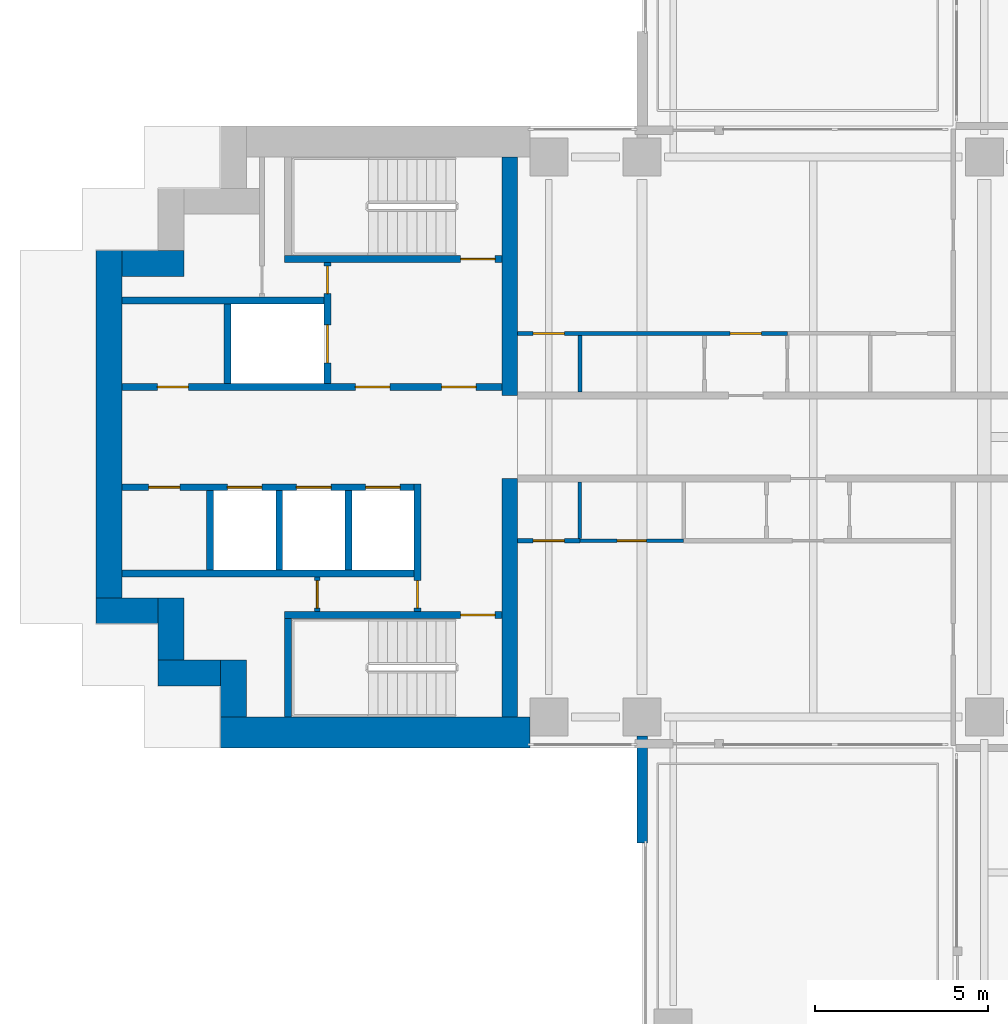
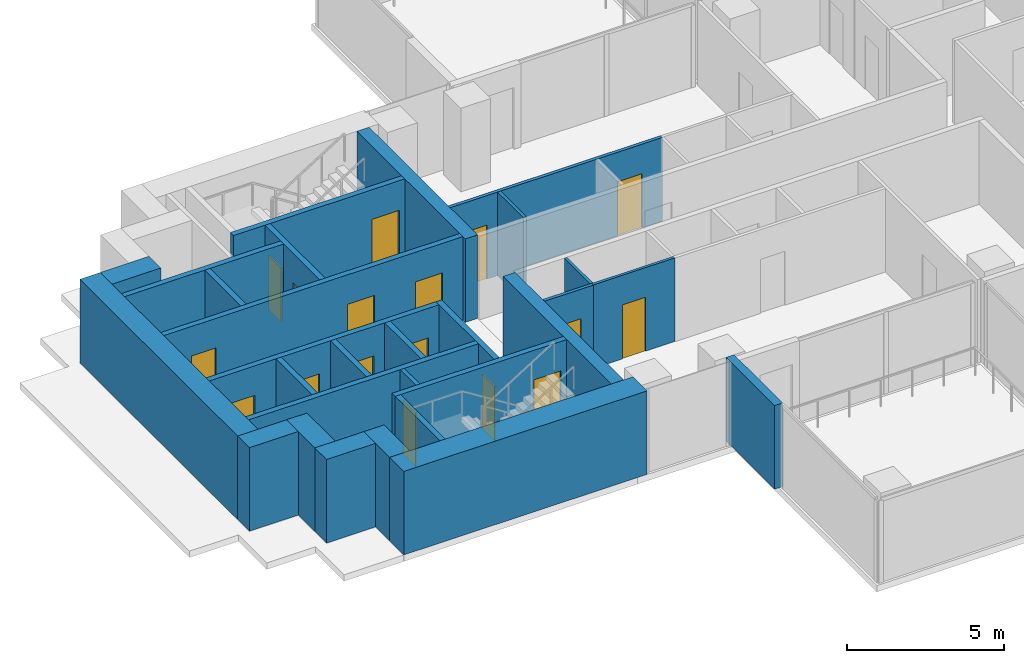
# One storey, part 10 of 20: 29 walls, 17 doors, 17 openings.
"""IFC4 building model written with IfcOpenShell, lengths in metres."""

from ifc_helpers import new_model, si_unit, direction, frame, frame_2d, origin, place, context, subcontext, project, spatial, rectangle, extrude, material, layer, layer_set, type_object, element, fill, save


model = new_model("IFC4")

# Units and contexts
model_context = context("Model", 3, precision=1e-05, world=origin(), true_north=direction((0.0, 1.0)))
body_context = subcontext(model_context, "Body", "Model", "MODEL_VIEW")
ifc_project = project(units=[si_unit("LENGTHUNIT", "METRE"), si_unit("AREAUNIT", "SQUARE_METRE"), si_unit("VOLUMEUNIT", "CUBIC_METRE"), si_unit("PLANEANGLEUNIT", "RADIAN"), si_unit("MASSUNIT", "GRAM", prefix="KILO")], contexts=[model_context])

# Site, building, storey
site_placement = place(None, origin())
site = spatial("IfcSite", under=ifc_project, at=site_placement, CompositionType="ELEMENT")
building_placement = place(site_placement, origin())
building = spatial("IfcBuilding", under=site, at=building_placement, Name="Perihelion Cross Residences", CompositionType="ELEMENT")
storey_placement = place(building_placement, frame((0.0, 0.0, 102.39990234375)))
storey = spatial("IfcBuildingStorey", under=building, at=storey_placement, Name="L23", CompositionType="ELEMENT", Elevation=102.39990234375)

# Walls
ifc_material_1 = material(Name="Concrete C60/75", Category="concrete")
ifc_layer_1 = layer(ifc_material_1, 0.449951171875)
ifc_layer_set_1 = layer_set([ifc_layer_1], Name="Core wall, inner 450")
wall_type_1 = type_object("IfcWallType", Name="Core wall, inner 450", PredefinedType="SHEAR", material=ifc_layer_set_1)
for number, where, z_axis, x_axis, name in (
    (1, (-21.824951171875, -8.10009765625, 0.0), (0.0, 0.0, 1.0), (0.0, 1.0, 0.0), "West core core wall, inner"),
    (2, (-21.824951171875, 1.199951171875, 0.0), (0.0, 0.0, 1.0), (0.0, 1.0, 0.0), "West core core wall, inner"),
):
    element("IfcWall", number, at=place(storey_placement, frame(where, z_axis=z_axis, x_axis=x_axis)), inside=storey, type_object=wall_type_1, Name=name, PredefinedType="SHEAR", context=body_context, shape_type="SweptSolid", body=[
        extrude(rectangle(XDim=6.900146484375, YDim=0.449951171875, at=frame_2d((3.4501953125, 0.0))), origin(), (0.0, 0.0, 1.0), 3.25),
    ])
ifc_material_2 = material(Name="Concrete C60/75", Category="concrete")
ifc_layer_2 = layer(ifc_material_2, 0.75)
ifc_layer_set_2 = layer_set([ifc_layer_2], Name="Core wall, outer 750")
wall_type_2 = type_object("IfcWallType", Name="Core wall, outer 750", PredefinedType="SHEAR", material=ifc_layer_set_2)
wall_1_placement = place(storey_placement, frame((-29.824951171875, -8.10009765625, 0.0), z_axis=(0.0, 0.0, 1.0), x_axis=(0.0, 1.0, 0.0)))
element("IfcWall", 3, at=wall_1_placement, inside=storey, type_object=wall_type_2, Name="West core core wall, outer", PredefinedType="SHEAR", context=body_context, shape_type="SweptSolid", body=[
    extrude(rectangle(XDim=1.650146484375, YDim=0.75, at=frame_2d((0.8251953125, 0.0))), origin(), (0.0, 0.0, 1.0), 3.25),
])
for number, where, z_axis, x_axis, name in (
    (4, (-32.0, -6.824951171875, 0.0), (0.0, 0.0, 1.0), (1.0, 0.0, 0.0), "West core core wall, outer"),
    (5, (-31.625, -6.449951171875, 0.0), (0.0, 0.0, 1.0), (0.0, 1.0, 0.0), "West core core wall, outer"),
    (6, (-33.800048828125, -5.02490234375, 0.0), (0.0, 0.0, 1.0), (1.0, 0.0, 0.0), "West core core wall, outer"),
):
    element("IfcWall", number, at=place(storey_placement, frame(where, z_axis=z_axis, x_axis=x_axis)), inside=storey, type_object=wall_type_2, Name=name, PredefinedType="SHEAR", context=body_context, shape_type="SweptSolid", body=[
        extrude(rectangle(XDim=1.800048828125, YDim=0.75, at=frame_2d((0.89990234375, 0.0))), origin(), (0.0, 0.0, 1.0), 3.25),
    ])
wall_2_placement = place(storey_placement, frame((-33.425048828125, -4.64990234375, 0.0), z_axis=(0.0, 0.0, 1.0), x_axis=(0.0, 1.0, 0.0)))
element("IfcWall", 7, at=wall_2_placement, inside=storey, type_object=wall_type_2, Name="West core core wall, outer", PredefinedType="SHEAR", context=body_context, shape_type="SweptSolid", body=[
    extrude(rectangle(XDim=10.0498046875, YDim=0.75, at=frame_2d((5.02490234375, 0.0))), origin(), (0.0, 0.0, 1.0), 3.25),
])
wall_3_placement = place(storey_placement, frame((-33.050048828125, 5.02490234375, 0.0), z_axis=(0.0, 0.0, 1.0), x_axis=(1.0, 0.0, 0.0)))
element("IfcWall", 8, at=wall_3_placement, inside=storey, type_object=wall_type_2, Name="West core core wall, outer", PredefinedType="SHEAR", context=body_context, shape_type="SweptSolid", body=[
    extrude(rectangle(XDim=1.800048828125, YDim=0.75, at=frame_2d((0.89990234375, 0.0))), origin(), (0.0, 0.0, 1.0), 3.25),
])
ifc_material_3 = material(Name="Concrete C60/75", Category="concrete")
ifc_layer_3 = layer(ifc_material_3, 0.89990234375)
ifc_layer_set_3 = layer_set([ifc_layer_3], Name="Core wall, outer 900")
wall_type_3 = type_object("IfcWallType", Name="Core wall, outer 900", PredefinedType="SHEAR", material=ifc_layer_set_3)
wall_4_placement = place(storey_placement, frame((-30.199951171875, -8.550048828125, 0.0), z_axis=(0.0, 0.0, 1.0), x_axis=(1.0, 0.0, 0.0)))
element("IfcWall", 9, at=wall_4_placement, inside=storey, type_object=wall_type_3, Name="West core core wall, outer", PredefinedType="SHEAR", context=body_context, shape_type="SweptSolid", body=[
    extrude(rectangle(XDim=8.949951171875, YDim=0.89990234375, at=frame_2d((4.47509765625, 0.0))), origin(), (0.0, 0.0, 1.0), 3.25),
])

# Wall, opening, door
ifc_material_4 = material(Name="Concrete C50/60", Category="concrete")
ifc_layer_4 = layer(ifc_material_4, 0.199951171875)
ifc_layer_set_4 = layer_set([ifc_layer_4], Name="Lobby wall 200")
wall_type_4 = type_object("IfcWallType", Name="Lobby wall 200", PredefinedType="SOLIDWALL", material=ifc_layer_set_4)
wall_5_placement = place(storey_placement, frame((-24.5, -5.050048828125, 0.0), z_axis=(0.0, 0.0, 1.0), x_axis=(0.0, 1.0, 0.0)))
wall_5 = element("IfcWall", 10, at=wall_5_placement, inside=storey, type_object=wall_type_4, Name="West core lobby wall", PredefinedType="SOLIDWALL", context=body_context, shape_type="SweptSolid", body=[
    extrude(rectangle(XDim=3.699951171875, YDim=0.199951171875, at=frame_2d((1.85009765625, 0.0))), origin(), (0.0, 0.0, 1.0), 3.25),
])
opening_1_placement = place(wall_5_placement, frame((0.10009765625, 0.0, 0.0)))
opening_1 = element("IfcOpeningElement", 11, at=opening_1_placement, cuts=wall_5, Name="Opening L23.C22", PredefinedType="OPENING", context=body_context, shape_type="SweptSolid", body=[
    extrude(rectangle(XDim=0.800048828125, YDim=2.10009765625, at=frame_2d((0.39990234375, 1.050048828125))), frame((0.0, 0.10986328125, 0.0), z_axis=(0.0, -1.0, 0.0), x_axis=(1.0, 0.0, 0.0)), (0.0, 0.0, 1.0), 0.219970703125),
])
ifc_material_5 = material(Name="Steel, powder coated", Category="steel")
door_type_1 = type_object("IfcDoorType", Name="Riser door 800", OperationType="SINGLE_SWING_LEFT", PredefinedType="DOOR", material=ifc_material_5)
door_1_placement = place(opening_1_placement, origin())
door_1 = element("IfcDoor", 12, at=door_1_placement, inside=storey, type_object=door_type_1, Name="West core riser door", OperationType="SINGLE_SWING_LEFT", OverallHeight=2.10009765625, OverallWidth=0.800048828125, PredefinedType="DOOR", context=body_context, shape_type="SweptSolid", body=[
    extrude(rectangle(XDim=0.800048828125, YDim=2.10009765625, at=frame_2d((0.39990234375, 1.050048828125))), frame((0.0, 0.02490234375, 0.0), z_axis=(0.0, -1.0, 0.0), x_axis=(1.0, 0.0, 0.0)), (0.0, 0.0, 1.0), 0.050048828125),
])
fill(opening_1, door_1)

# Wall, openings, doors
ifc_material_6 = material(Name="Plasterboard partition")
ifc_layer_5 = layer(ifc_material_6, 0.1201171875)
ifc_layer_set_5 = layer_set([ifc_layer_5], Name="Partition wall 120")
wall_type_5 = type_object("IfcWallType", Name="Partition wall 120", PredefinedType="PARTITIONING", material=ifc_layer_set_5)
wall_6_placement = place(storey_placement, frame((-21.60009765625, 3.0, 0.0), z_axis=(0.0, 0.0, 1.0), x_axis=(1.0, 0.0, 0.0)))
wall_6 = element("IfcWall", 13, at=wall_6_placement, inside=storey, type_object=wall_type_5, Name="Partition L23 W048", PredefinedType="PARTITIONING", context=body_context, shape_type="SweptSolid", body=[
    extrude(rectangle(XDim=7.800048828125, YDim=0.1201171875, at=frame_2d((3.89990234375, 0.0))), origin(), (0.0, 0.0, 1.0), 3.25),
])
opening_2_placement = place(wall_6_placement, frame((0.449951171875, 0.0, 0.0)))
opening_2 = element("IfcOpeningElement", 14, at=opening_2_placement, cuts=wall_6, Name="Opening L23.A21", PredefinedType="OPENING", context=body_context, shape_type="SweptSolid", body=[
    extrude(rectangle(XDim=0.89990234375, YDim=2.10009765625, at=frame_2d((0.449951171875, 1.050048828125))), frame((0.0, 0.070068359375, 0.0), z_axis=(0.0, -1.0, 0.0), x_axis=(1.0, 0.0, 0.0)), (0.0, 0.0, 1.0), 0.14013671875),
])
opening_3_placement = place(wall_6_placement, frame((6.14990234375, 0.0, 0.0)))
opening_3 = element("IfcOpeningElement", 15, at=opening_3_placement, cuts=wall_6, Name="Opening L23.A23", PredefinedType="OPENING", context=body_context, shape_type="SweptSolid", body=[
    extrude(rectangle(XDim=0.89990234375, YDim=2.10009765625, at=frame_2d((0.449951171875, 1.050048828125))), frame((0.0, 0.070068359375, 0.0), z_axis=(0.0, -1.0, 0.0), x_axis=(1.0, 0.0, 0.0)), (0.0, 0.0, 1.0), 0.14013671875),
])
ifc_material_7 = material(Name="Timber door leaf", Category="wood")
door_type_2 = type_object("IfcDoorType", Name="Interior room door 900 x 2100", OperationType="SINGLE_SWING_LEFT", PredefinedType="DOOR", material=ifc_material_7)
door_2_placement = place(opening_2_placement, origin())
door_2 = element("IfcDoor", 16, at=door_2_placement, inside=storey, type_object=door_type_2, Name="Door L23.A21", OperationType="SINGLE_SWING_RIGHT", OverallHeight=2.10009765625, OverallWidth=0.89990234375, PredefinedType="DOOR", context=body_context, shape_type="SweptSolid", body=[
    extrude(rectangle(XDim=0.89990234375, YDim=2.10009765625, at=frame_2d((0.449951171875, 1.050048828125))), frame((0.0, 0.02490234375, 0.0), z_axis=(0.0, -1.0, 0.0), x_axis=(1.0, 0.0, 0.0)), (0.0, 0.0, 1.0), 0.050048828125),
])
fill(opening_2, door_2)
door_3_placement = place(opening_3_placement, origin())
door_3 = element("IfcDoor", 17, at=door_3_placement, inside=storey, type_object=door_type_2, Name="Door L23.A23", OperationType="SINGLE_SWING_RIGHT", OverallHeight=2.10009765625, OverallWidth=0.89990234375, PredefinedType="DOOR", context=body_context, shape_type="SweptSolid", body=[
    extrude(rectangle(XDim=0.89990234375, YDim=2.10009765625, at=frame_2d((0.449951171875, 1.050048828125))), frame((0.0, 0.02490234375, 0.0), z_axis=(0.0, -1.0, 0.0), x_axis=(1.0, 0.0, 0.0)), (0.0, 0.0, 1.0), 0.050048828125),
])
fill(opening_3, door_3)

# Wall
wall_7_placement = place(storey_placement, frame((-19.800048828125, 1.300048828125, 0.0), z_axis=(0.0, 0.0, 1.0), x_axis=(0.0, 1.0, 0.0)))
element("IfcWall", 18, at=wall_7_placement, inside=storey, type_object=wall_type_5, Name="Partition L23 W049", PredefinedType="PARTITIONING", context=body_context, shape_type="SweptSolid", body=[
    extrude(rectangle(XDim=1.639892578125, YDim=0.1201171875, at=frame_2d((0.81982421875, 0.0))), origin(), (0.0, 0.0, 1.0), 3.25),
])

# Wall, opening, door
wall_8_placement = place(storey_placement, frame((-19.800048828125, -3.0, 0.0), z_axis=(0.0, 0.0, 1.0), x_axis=(-1.0, 0.0, 0.0)))
wall_8 = element("IfcWall", 19, at=wall_8_placement, inside=storey, type_object=wall_type_5, Name="Partition L23 W060", PredefinedType="PARTITIONING", context=body_context, shape_type="SweptSolid", body=[
    extrude(rectangle(XDim=1.800048828125, YDim=0.1201171875, at=frame_2d((0.89990234375, 0.0))), origin(), (0.0, 0.0, 1.0), 3.25),
])
opening_4_placement = place(wall_8_placement, frame((0.449951171875, 0.0, 0.0)))
opening_4 = element("IfcOpeningElement", 20, at=opening_4_placement, cuts=wall_8, Name="Opening L23.A28", PredefinedType="OPENING", context=body_context, shape_type="SweptSolid", body=[
    extrude(rectangle(XDim=0.89990234375, YDim=2.10009765625, at=frame_2d((0.449951171875, 1.050048828125))), frame((0.0, 0.070068359375, 0.0), z_axis=(0.0, -1.0, 0.0), x_axis=(1.0, 0.0, 0.0)), (0.0, 0.0, 1.0), 0.14013671875),
])
door_4_placement = place(opening_4_placement, origin())
door_4 = element("IfcDoor", 21, at=door_4_placement, inside=storey, type_object=door_type_2, Name="Door L23.A28", OperationType="SINGLE_SWING_LEFT", OverallHeight=2.10009765625, OverallWidth=0.89990234375, PredefinedType="DOOR", context=body_context, shape_type="SweptSolid", body=[
    extrude(rectangle(XDim=0.89990234375, YDim=2.10009765625, at=frame_2d((0.449951171875, 1.050048828125))), frame((0.0, 0.02490234375, 0.0), z_axis=(0.0, -1.0, 0.0), x_axis=(1.0, 0.0, 0.0)), (0.0, 0.0, 1.0), 0.050048828125),
])
fill(opening_4, door_4)

# Wall
ifc_material_8 = material(Name="Precast concrete C50/60", Category="concrete")
ifc_layer_6 = layer(ifc_material_8, 0.300048828125)
ifc_layer_set_6 = layer_set([ifc_layer_6], Name="Precast concrete C50/60 blade wall 300")
wall_type_6 = type_object("IfcWallType", Name="Precast concrete C50/60 blade wall 300", PredefinedType="SOLIDWALL", material=ifc_layer_set_6)
wall_9_placement = place(storey_placement, frame((-18.0, -8.64990234375, 0.0), z_axis=(0.0, 0.0, 1.0), x_axis=(0.0, -1.0, 0.0)))
element("IfcWall", 22, at=wall_9_placement, inside=storey, type_object=wall_type_6, Name="Wall BL1 L23 no. 1", PredefinedType="SOLIDWALL", context=body_context, shape_type="SweptSolid", body=[
    extrude(rectangle(XDim=3.090087890625, YDim=0.300048828125, at=frame_2d((1.544921875, 0.0))), origin(), (0.0, 0.0, 1.0), 3.25),
])

# Wall, opening, door
ifc_material_9 = material(Name="Fire-rated board on steel stud", Category="steel")
ifc_layer_7 = layer(ifc_material_9, 0.14990234375)
ifc_layer_set_7 = layer_set([ifc_layer_7], Name="Riser wall 150")
wall_type_7 = type_object("IfcWallType", Name="Riser wall 150", PredefinedType="PARTITIONING", material=ifc_layer_set_7)
wall_10_placement = place(storey_placement, frame((-27.39990234375, -5.050048828125, 0.0), z_axis=(0.0, 0.0, 1.0), x_axis=(0.0, 1.0, 0.0)))
wall_10 = element("IfcWall", 23, at=wall_10_placement, inside=storey, type_object=wall_type_7, Name="West core riser wall", PredefinedType="PARTITIONING", context=body_context, shape_type="SweptSolid", body=[
    extrude(rectangle(XDim=1.0, YDim=0.14990234375, at=frame_2d((0.5, 0.0))), origin(), (0.0, 0.0, 1.0), 3.25),
])
opening_5_placement = place(wall_10_placement, frame((0.10009765625, 0.0, 0.0)))
opening_5 = element("IfcOpeningElement", 24, at=opening_5_placement, cuts=wall_10, Name="Opening L23.C25", PredefinedType="OPENING", context=body_context, shape_type="SweptSolid", body=[
    extrude(rectangle(XDim=0.800048828125, YDim=2.10009765625, at=frame_2d((0.39990234375, 1.050048828125))), frame((0.0, 0.0849609375, 0.0), z_axis=(0.0, -1.0, 0.0), x_axis=(1.0, 0.0, 0.0)), (0.0, 0.0, 1.0), 0.169921875),
])
door_5_placement = place(opening_5_placement, origin())
door_5 = element("IfcDoor", 25, at=door_5_placement, inside=storey, type_object=door_type_1, Name="West core riser door", OperationType="SINGLE_SWING_LEFT", OverallHeight=2.10009765625, OverallWidth=0.800048828125, PredefinedType="DOOR", context=body_context, shape_type="SweptSolid", body=[
    extrude(rectangle(XDim=0.800048828125, YDim=2.10009765625, at=frame_2d((0.39990234375, 1.050048828125))), frame((0.0, 0.02490234375, 0.0), z_axis=(0.0, -1.0, 0.0), x_axis=(1.0, 0.0, 0.0)), (0.0, 0.0, 1.0), 0.050048828125),
])
fill(opening_5, door_5)

# Wall, openings, doors
ifc_material_10 = material(Name="Concrete C50/60", Category="concrete")
ifc_layer_8 = layer(ifc_material_10, 0.199951171875)
ifc_layer_set_8 = layer_set([ifc_layer_8], Name="Shaft wall 200")
wall_type_8 = type_object("IfcWallType", Name="Shaft wall 200", PredefinedType="SOLIDWALL", material=ifc_layer_set_8)
wall_11_placement = place(storey_placement, frame((-33.050048828125, 1.449951171875, 0.0), z_axis=(0.0, 0.0, 1.0), x_axis=(1.0, 0.0, 0.0)))
wall_11 = element("IfcWall", 26, at=wall_11_placement, inside=storey, type_object=wall_type_8, Name="West core shaft wall", PredefinedType="SOLIDWALL", context=body_context, shape_type="SweptSolid", body=[
    extrude(rectangle(XDim=11.0, YDim=0.199951171875, at=frame_2d((5.5, 0.0))), origin(), (0.0, 0.0, 1.0), 3.25),
])
opening_6_placement = place(wall_11_placement, frame((9.25, 0.0, 0.0)))
opening_6 = element("IfcOpeningElement", 27, at=opening_6_placement, cuts=wall_11, Name="Opening L23.C21", PredefinedType="OPENING", context=body_context, shape_type="SweptSolid", body=[
    extrude(rectangle(XDim=1.0, YDim=2.10009765625, at=frame_2d((0.5, 1.050048828125))), frame((0.0, 0.10986328125, 0.0), z_axis=(0.0, -1.0, 0.0), x_axis=(1.0, 0.0, 0.0)), (0.0, 0.0, 1.0), 0.219970703125),
])
opening_7_placement = place(wall_11_placement, frame((6.75, 0.0, 0.0)))
opening_7 = element("IfcOpeningElement", 28, at=opening_7_placement, cuts=wall_11, Name="Opening L23.C23", PredefinedType="OPENING", context=body_context, shape_type="SweptSolid", body=[
    extrude(rectangle(XDim=1.0, YDim=2.10009765625, at=frame_2d((0.5, 1.050048828125))), frame((0.0, 0.10986328125, 0.0), z_axis=(0.0, -1.0, 0.0), x_axis=(1.0, 0.0, 0.0)), (0.0, 0.0, 1.0), 0.219970703125),
])
opening_8_placement = place(wall_11_placement, frame((1.02490234375, 0.0, 0.0)))
opening_8 = element("IfcOpeningElement", 29, at=opening_8_placement, cuts=wall_11, Name="Opening L23.C27", PredefinedType="OPENING", context=body_context, shape_type="SweptSolid", body=[
    extrude(rectangle(XDim=0.89990234375, YDim=2.10009765625, at=frame_2d((0.449951171875, 1.050048828125))), frame((0.0, 0.10986328125, 0.0), z_axis=(0.0, -1.0, 0.0), x_axis=(1.0, 0.0, 0.0)), (0.0, 0.0, 1.0), 0.219970703125),
])
ifc_material_11 = material(Name="Steel, powder coated", Category="steel")
door_type_3 = type_object("IfcDoorType", Name="Lobby door 1000", OperationType="SINGLE_SWING_LEFT", PredefinedType="DOOR", material=ifc_material_11)
door_6_placement = place(opening_6_placement, origin())
door_6 = element("IfcDoor", 30, at=door_6_placement, inside=storey, type_object=door_type_3, Name="West core firefighting lobby door", OperationType="SINGLE_SWING_LEFT", OverallHeight=2.10009765625, OverallWidth=1.0, PredefinedType="DOOR", context=body_context, shape_type="SweptSolid", body=[
    extrude(rectangle(XDim=1.0, YDim=2.10009765625, at=frame_2d((0.5, 1.050048828125))), frame((0.0, 0.02490234375, 0.0), z_axis=(0.0, -1.0, 0.0), x_axis=(1.0, 0.0, 0.0)), (0.0, 0.0, 1.0), 0.050048828125),
])
fill(opening_6, door_6)
door_7_placement = place(opening_7_placement, origin())
door_7 = element("IfcDoor", 31, at=door_7_placement, inside=storey, type_object=door_type_3, Name="West core firefighting lobby door", OperationType="SINGLE_SWING_LEFT", OverallHeight=2.10009765625, OverallWidth=1.0, PredefinedType="DOOR", context=body_context, shape_type="SweptSolid", body=[
    extrude(rectangle(XDim=1.0, YDim=2.10009765625, at=frame_2d((0.5, 1.050048828125))), frame((0.0, 0.02490234375, 0.0), z_axis=(0.0, -1.0, 0.0), x_axis=(1.0, 0.0, 0.0)), (0.0, 0.0, 1.0), 0.050048828125),
])
fill(opening_7, door_7)
ifc_material_12 = material(Name="Steel, powder coated", Category="steel")
door_type_4 = type_object("IfcDoorType", Name="Service room door 900", OperationType="SINGLE_SWING_LEFT", PredefinedType="DOOR", material=ifc_material_12)
door_8_placement = place(opening_8_placement, origin())
door_8 = element("IfcDoor", 32, at=door_8_placement, inside=storey, type_object=door_type_4, Name="West core service room door", OperationType="SINGLE_SWING_LEFT", OverallHeight=2.10009765625, OverallWidth=0.89990234375, PredefinedType="DOOR", context=body_context, shape_type="SweptSolid", body=[
    extrude(rectangle(XDim=0.89990234375, YDim=2.10009765625, at=frame_2d((0.449951171875, 1.050048828125))), frame((0.0, 0.02490234375, 0.0), z_axis=(0.0, -1.0, 0.0), x_axis=(1.0, 0.0, 0.0)), (0.0, 0.0, 1.0), 0.050048828125),
])
fill(opening_8, door_8)

wall_12_placement = place(storey_placement, frame((-33.050048828125, -1.449951171875, 0.0), z_axis=(0.0, 0.0, 1.0), x_axis=(1.0, 0.0, 0.0)))
wall_12 = element("IfcWall", 33, at=wall_12_placement, inside=storey, type_object=wall_type_8, Name="West core shaft wall", PredefinedType="SOLIDWALL", context=body_context, shape_type="SweptSolid", body=[
    extrude(rectangle(XDim=8.449951171875, YDim=0.199951171875, at=frame_2d((4.22509765625, 0.0))), origin(), (0.0, 0.0, 1.0), 3.25),
])
opening_9_placement = place(wall_12_placement, frame((7.050048828125, 0.0, 0.0)))
opening_9 = element("IfcOpeningElement", 34, at=opening_9_placement, cuts=wall_12, Name="Opening L23.C15", PredefinedType="OPENING", context=body_context, shape_type="SweptSolid", body=[
    extrude(rectangle(XDim=1.0, YDim=2.10009765625, at=frame_2d((0.5, 1.050048828125))), frame((0.0, 0.10986328125, 0.0), z_axis=(0.0, -1.0, 0.0), x_axis=(1.0, 0.0, 0.0)), (0.0, 0.0, 1.0), 0.219970703125),
])
opening_10_placement = place(wall_12_placement, frame((5.050048828125, 0.0, 0.0)))
opening_10 = element("IfcOpeningElement", 35, at=opening_10_placement, cuts=wall_12, Name="Opening L23.C17", PredefinedType="OPENING", context=body_context, shape_type="SweptSolid", body=[
    extrude(rectangle(XDim=1.0, YDim=2.10009765625, at=frame_2d((0.5, 1.050048828125))), frame((0.0, 0.10986328125, 0.0), z_axis=(0.0, -1.0, 0.0), x_axis=(1.0, 0.0, 0.0)), (0.0, 0.0, 1.0), 0.219970703125),
])
opening_11_placement = place(wall_12_placement, frame((3.050048828125, 0.0, 0.0)))
opening_11 = element("IfcOpeningElement", 36, at=opening_11_placement, cuts=wall_12, Name="Opening L23.C18", PredefinedType="OPENING", context=body_context, shape_type="SweptSolid", body=[
    extrude(rectangle(XDim=1.0, YDim=2.10009765625, at=frame_2d((0.5, 1.050048828125))), frame((0.0, 0.10986328125, 0.0), z_axis=(0.0, -1.0, 0.0), x_axis=(1.0, 0.0, 0.0)), (0.0, 0.0, 1.0), 0.219970703125),
])
opening_12_placement = place(wall_12_placement, frame((0.77490234375, 0.0, 0.0)))
opening_12 = element("IfcOpeningElement", 37, at=opening_12_placement, cuts=wall_12, Name="Opening L23.C28", PredefinedType="OPENING", context=body_context, shape_type="SweptSolid", body=[
    extrude(rectangle(XDim=0.89990234375, YDim=2.10009765625, at=frame_2d((0.449951171875, 1.050048828125))), frame((0.0, 0.10986328125, 0.0), z_axis=(0.0, -1.0, 0.0), x_axis=(1.0, 0.0, 0.0)), (0.0, 0.0, 1.0), 0.219970703125),
])
ifc_material_13 = material(Name="Stainless steel", Category="steel")
door_type_5 = type_object("IfcDoorType", Name="Landing door 1000", OperationType="DOUBLE_DOOR_SLIDING", PredefinedType="DOOR", material=ifc_material_13)
door_9_placement = place(opening_9_placement, origin())
door_9 = element("IfcDoor", 38, at=door_9_placement, inside=storey, type_object=door_type_5, Name="Landing door, West core high-rise lift 1", OperationType="DOUBLE_DOOR_SLIDING", OverallHeight=2.10009765625, OverallWidth=1.0, PredefinedType="DOOR", context=body_context, shape_type="SweptSolid", body=[
    extrude(rectangle(XDim=1.0, YDim=2.10009765625, at=frame_2d((0.5, 1.050048828125))), frame((0.0, 0.02490234375, 0.0), z_axis=(0.0, -1.0, 0.0), x_axis=(1.0, 0.0, 0.0)), (0.0, 0.0, 1.0), 0.050048828125),
])
fill(opening_9, door_9)
door_10_placement = place(opening_10_placement, origin())
door_10 = element("IfcDoor", 39, at=door_10_placement, inside=storey, type_object=door_type_5, Name="Landing door, West core high-rise lift 2", OperationType="DOUBLE_DOOR_SLIDING", OverallHeight=2.10009765625, OverallWidth=1.0, PredefinedType="DOOR", context=body_context, shape_type="SweptSolid", body=[
    extrude(rectangle(XDim=1.0, YDim=2.10009765625, at=frame_2d((0.5, 1.050048828125))), frame((0.0, 0.02490234375, 0.0), z_axis=(0.0, -1.0, 0.0), x_axis=(1.0, 0.0, 0.0)), (0.0, 0.0, 1.0), 0.050048828125),
])
fill(opening_10, door_10)
door_11_placement = place(opening_11_placement, origin())
door_11 = element("IfcDoor", 40, at=door_11_placement, inside=storey, type_object=door_type_5, Name="Landing door, West core high-rise lift 3", OperationType="DOUBLE_DOOR_SLIDING", OverallHeight=2.10009765625, OverallWidth=1.0, PredefinedType="DOOR", context=body_context, shape_type="SweptSolid", body=[
    extrude(rectangle(XDim=1.0, YDim=2.10009765625, at=frame_2d((0.5, 1.050048828125))), frame((0.0, 0.02490234375, 0.0), z_axis=(0.0, -1.0, 0.0), x_axis=(1.0, 0.0, 0.0)), (0.0, 0.0, 1.0), 0.050048828125),
])
fill(opening_11, door_11)
door_12_placement = place(opening_12_placement, origin())
door_12 = element("IfcDoor", 41, at=door_12_placement, inside=storey, type_object=door_type_4, Name="West core service room door", OperationType="SINGLE_SWING_LEFT", OverallHeight=2.10009765625, OverallWidth=0.89990234375, PredefinedType="DOOR", context=body_context, shape_type="SweptSolid", body=[
    extrude(rectangle(XDim=0.89990234375, YDim=2.10009765625, at=frame_2d((0.449951171875, 1.050048828125))), frame((0.0, 0.02490234375, 0.0), z_axis=(0.0, -1.0, 0.0), x_axis=(1.0, 0.0, 0.0)), (0.0, 0.0, 1.0), 0.050048828125),
])
fill(opening_12, door_12)

# Walls
wall_13_placement = place(storey_placement, frame((-33.050048828125, 3.949951171875, 0.0), z_axis=(0.0, 0.0, 1.0), x_axis=(1.0, 0.0, 0.0)))
element("IfcWall", 42, at=wall_13_placement, inside=storey, type_object=wall_type_8, Name="West core shaft wall", PredefinedType="SOLIDWALL", context=body_context, shape_type="SweptSolid", body=[
    extrude(rectangle(XDim=5.85009765625, YDim=0.199951171875, at=frame_2d((2.925048828125, 0.0))), origin(), (0.0, 0.0, 1.0), 3.25),
])
wall_14_placement = place(storey_placement, frame((-33.050048828125, -3.949951171875, 0.0), z_axis=(0.0, 0.0, 1.0), x_axis=(1.0, 0.0, 0.0)))
element("IfcWall", 43, at=wall_14_placement, inside=storey, type_object=wall_type_8, Name="West core shaft wall", PredefinedType="SOLIDWALL", context=body_context, shape_type="SweptSolid", body=[
    extrude(rectangle(XDim=8.449951171875, YDim=0.199951171875, at=frame_2d((4.22509765625, 0.0))), origin(), (0.0, 0.0, 1.0), 3.25),
])

# Wall, openings, doors
wall_15_placement = place(storey_placement, frame((-27.10009765625, 1.550048828125, 0.0), z_axis=(0.0, 0.0, 1.0), x_axis=(0.0, 1.0, 0.0)))
wall_15 = element("IfcWall", 44, at=wall_15_placement, inside=storey, type_object=wall_type_8, Name="West core shaft wall", PredefinedType="SOLIDWALL", context=body_context, shape_type="SweptSolid", body=[
    extrude(rectangle(XDim=3.5, YDim=0.199951171875, at=frame_2d((1.75, 0.0))), origin(), (0.0, 0.0, 1.0), 3.25),
])
opening_13_placement = place(wall_15_placement, frame((0.60009765625, 0.0, 0.0)))
opening_13 = element("IfcOpeningElement", 45, at=opening_13_placement, cuts=wall_15, Name="Opening L23.C16", PredefinedType="OPENING", context=body_context, shape_type="SweptSolid", body=[
    extrude(rectangle(XDim=1.10009765625, YDim=2.10009765625, at=frame_2d((0.550048828125, 1.050048828125))), frame((0.0, 0.10986328125, 0.0), z_axis=(0.0, -1.0, 0.0), x_axis=(1.0, 0.0, 0.0)), (0.0, 0.0, 1.0), 0.219970703125),
])
opening_14_placement = place(wall_15_placement, frame((2.60009765625, 0.0, 0.0)))
opening_14 = element("IfcOpeningElement", 46, at=opening_14_placement, cuts=wall_15, Name="Opening L23.C24", PredefinedType="OPENING", context=body_context, shape_type="SweptSolid", body=[
    extrude(rectangle(XDim=0.800048828125, YDim=2.10009765625, at=frame_2d((0.39990234375, 1.050048828125))), frame((0.0, 0.10986328125, 0.0), z_axis=(0.0, -1.0, 0.0), x_axis=(1.0, 0.0, 0.0)), (0.0, 0.0, 1.0), 0.219970703125),
])
ifc_material_14 = material(Name="Stainless steel", Category="steel")
door_type_6 = type_object("IfcDoorType", Name="Landing door, firefighting lift 1100", OperationType="DOUBLE_DOOR_SLIDING", PredefinedType="DOOR", material=ifc_material_14)
door_13_placement = place(opening_13_placement, origin())
door_13 = element("IfcDoor", 47, at=door_13_placement, inside=storey, type_object=door_type_6, Name="Landing door, West core firefighting and service lift", OperationType="DOUBLE_DOOR_SLIDING", OverallHeight=2.10009765625, OverallWidth=1.10009765625, PredefinedType="DOOR", context=body_context, shape_type="SweptSolid", body=[
    extrude(rectangle(XDim=1.10009765625, YDim=2.10009765625, at=frame_2d((0.550048828125, 1.050048828125))), frame((0.0, 0.02490234375, 0.0), z_axis=(0.0, -1.0, 0.0), x_axis=(1.0, 0.0, 0.0)), (0.0, 0.0, 1.0), 0.050048828125),
])
fill(opening_13, door_13)
door_14_placement = place(opening_14_placement, origin())
door_14 = element("IfcDoor", 48, at=door_14_placement, inside=storey, type_object=door_type_1, Name="West core riser door", OperationType="SINGLE_SWING_LEFT", OverallHeight=2.10009765625, OverallWidth=0.800048828125, PredefinedType="DOOR", context=body_context, shape_type="SweptSolid", body=[
    extrude(rectangle(XDim=0.800048828125, YDim=2.10009765625, at=frame_2d((0.39990234375, 1.050048828125))), frame((0.0, 0.02490234375, 0.0), z_axis=(0.0, -1.0, 0.0), x_axis=(1.0, 0.0, 0.0)), (0.0, 0.0, 1.0), 0.050048828125),
])
fill(opening_14, door_14)

# Walls
for number, where, z_axis, x_axis, name in (
    (49, (-30.0, 1.550048828125, 0.0), (0.0, 0.0, 1.0), (0.0, 1.0, 0.0), "West core shaft wall"),
    (50, (-26.5, -3.85009765625, 0.0), (0.0, 0.0, 1.0), (0.0, 1.0, 0.0), "West core shaft wall"),
    (51, (-28.5, -3.85009765625, 0.0), (0.0, 0.0, 1.0), (0.0, 1.0, 0.0), "West core shaft wall"),
    (52, (-30.5, -3.85009765625, 0.0), (0.0, 0.0, 1.0), (0.0, 1.0, 0.0), "West core shaft wall"),
):
    element("IfcWall", number, at=place(storey_placement, frame(where, z_axis=z_axis, x_axis=x_axis)), inside=storey, type_object=wall_type_8, Name=name, PredefinedType="SOLIDWALL", context=body_context, shape_type="SweptSolid", body=[
        extrude(rectangle(XDim=2.300048828125, YDim=0.199951171875, at=frame_2d((1.14990234375, 0.0))), origin(), (0.0, 0.0, 1.0), 3.25),
    ])

# Wall, opening, door
ifc_material_15 = material(Name="Concrete C50/60", Category="concrete")
ifc_layer_9 = layer(ifc_material_15, 0.199951171875)
ifc_layer_set_9 = layer_set([ifc_layer_9], Name="Stair wall 200")
wall_type_9 = type_object("IfcWallType", Name="Stair wall 200", PredefinedType="SOLIDWALL", material=ifc_layer_set_9)
wall_16_placement = place(storey_placement, frame((-28.35009765625, 5.14990234375, 0.0), z_axis=(0.0, 0.0, 1.0), x_axis=(1.0, 0.0, 0.0)))
wall_16 = element("IfcWall", 53, at=wall_16_placement, inside=storey, type_object=wall_type_9, Name="West core stair wall", PredefinedType="SOLIDWALL", context=body_context, shape_type="SweptSolid", body=[
    extrude(rectangle(XDim=6.300048828125, YDim=0.199951171875, at=frame_2d((3.14990234375, 0.0))), origin(), (0.0, 0.0, 1.0), 3.25),
])
opening_15_placement = place(wall_16_placement, frame((5.10009765625, 0.0, 0.0)))
opening_15 = element("IfcOpeningElement", 54, at=opening_15_placement, cuts=wall_16, Name="Opening L23.C20", PredefinedType="OPENING", context=body_context, shape_type="SweptSolid", body=[
    extrude(rectangle(XDim=1.0, YDim=2.10009765625, at=frame_2d((0.5, 1.050048828125))), frame((0.0, 0.10986328125, 0.0), z_axis=(0.0, -1.0, 0.0), x_axis=(1.0, 0.0, 0.0)), (0.0, 0.0, 1.0), 0.219970703125),
])
ifc_material_16 = material(Name="Steel, powder coated", Category="steel")
door_type_7 = type_object("IfcDoorType", Name="Stair door 1000", OperationType="SINGLE_SWING_LEFT", PredefinedType="DOOR", material=ifc_material_16)
door_15_placement = place(opening_15_placement, origin())
door_15 = element("IfcDoor", 55, at=door_15_placement, inside=storey, type_object=door_type_7, Name="West core stair door", OperationType="SINGLE_SWING_LEFT", OverallHeight=2.10009765625, OverallWidth=1.0, PredefinedType="DOOR", context=body_context, shape_type="SweptSolid", body=[
    extrude(rectangle(XDim=1.0, YDim=2.10009765625, at=frame_2d((0.5, 1.050048828125))), frame((0.0, 0.02490234375, 0.0), z_axis=(0.0, -1.0, 0.0), x_axis=(1.0, 0.0, 0.0)), (0.0, 0.0, 1.0), 0.050048828125),
])
fill(opening_15, door_15)

wall_17_placement = place(storey_placement, frame((-28.35009765625, -5.14990234375, 0.0), z_axis=(0.0, 0.0, 1.0), x_axis=(1.0, 0.0, 0.0)))
wall_17 = element("IfcWall", 56, at=wall_17_placement, inside=storey, type_object=wall_type_9, Name="West core stair wall", PredefinedType="SOLIDWALL", context=body_context, shape_type="SweptSolid", body=[
    extrude(rectangle(XDim=6.300048828125, YDim=0.199951171875, at=frame_2d((3.14990234375, 0.0))), origin(), (0.0, 0.0, 1.0), 3.25),
])
opening_16_placement = place(wall_17_placement, frame((5.10009765625, 0.0, 0.0)))
opening_16 = element("IfcOpeningElement", 57, at=opening_16_placement, cuts=wall_17, Name="Opening L23.C19", PredefinedType="OPENING", context=body_context, shape_type="SweptSolid", body=[
    extrude(rectangle(XDim=1.0, YDim=2.10009765625, at=frame_2d((0.5, 1.050048828125))), frame((0.0, 0.10986328125, 0.0), z_axis=(0.0, -1.0, 0.0), x_axis=(1.0, 0.0, 0.0)), (0.0, 0.0, 1.0), 0.219970703125),
])
door_16_placement = place(opening_16_placement, origin())
door_16 = element("IfcDoor", 58, at=door_16_placement, inside=storey, type_object=door_type_7, Name="West core stair door", OperationType="SINGLE_SWING_LEFT", OverallHeight=2.10009765625, OverallWidth=1.0, PredefinedType="DOOR", context=body_context, shape_type="SweptSolid", body=[
    extrude(rectangle(XDim=1.0, YDim=2.10009765625, at=frame_2d((0.5, 1.050048828125))), frame((0.0, 0.02490234375, 0.0), z_axis=(0.0, -1.0, 0.0), x_axis=(1.0, 0.0, 0.0)), (0.0, 0.0, 1.0), 0.050048828125),
])
fill(opening_16, door_16)

# Walls
wall_18_placement = place(storey_placement, frame((-28.25, -8.10009765625, 0.0), z_axis=(0.0, 0.0, 1.0), x_axis=(0.0, 1.0, 0.0)))
element("IfcWall", 59, at=wall_18_placement, inside=storey, type_object=wall_type_9, Name="West core stair wall", PredefinedType="SOLIDWALL", context=body_context, shape_type="SweptSolid", body=[
    extrude(rectangle(XDim=2.85009765625, YDim=0.199951171875, at=frame_2d((1.425048828125, 0.0))), origin(), (0.0, 0.0, 1.0), 3.25),
])
ifc_material_17 = material(Name="Plasterboard partition")
ifc_layer_10 = layer(ifc_material_17, 0.10009765625)
ifc_layer_set_10 = layer_set([ifc_layer_10], Name="Wet room wall 100")
wall_type_10 = type_object("IfcWallType", Name="Wet room wall 100", PredefinedType="PARTITIONING", material=ifc_layer_set_10)
wall_19_placement = place(storey_placement, frame((-19.800048828125, -2.93994140625, 0.0), z_axis=(0.0, 0.0, 1.0), x_axis=(0.0, 1.0, 0.0)))
element("IfcWall", 60, at=wall_19_placement, inside=storey, type_object=wall_type_10, Name="Partition L23 W058", PredefinedType="PARTITIONING", context=body_context, shape_type="SweptSolid", body=[
    extrude(rectangle(XDim=1.639892578125, YDim=0.10009765625, at=frame_2d((0.81982421875, 0.0))), origin(), (0.0, 0.0, 1.0), 3.25),
])

# Wall, opening, door
wall_20_placement = place(storey_placement, frame((-16.800048828125, -3.0, 0.0), z_axis=(0.0, 0.0, 1.0), x_axis=(-1.0, 0.0, 0.0)))
wall_20 = element("IfcWall", 61, at=wall_20_placement, inside=storey, type_object=wall_type_10, Name="Partition L23 W059", PredefinedType="PARTITIONING", context=body_context, shape_type="SweptSolid", body=[
    extrude(rectangle(XDim=3.0, YDim=0.10009765625, at=frame_2d((1.5, 0.0))), origin(), (0.0, 0.0, 1.0), 3.25),
])
opening_17_placement = place(wall_20_placement, frame((1.074951171875, 0.0, 0.0)))
opening_17 = element("IfcOpeningElement", 62, at=opening_17_placement, cuts=wall_20, Name="Opening L23.A25", PredefinedType="OPENING", context=body_context, shape_type="SweptSolid", body=[
    extrude(rectangle(XDim=0.85009765625, YDim=2.10009765625, at=frame_2d((0.425048828125, 1.050048828125))), frame((0.0, 0.06005859375, 0.0), z_axis=(0.0, -1.0, 0.0), x_axis=(1.0, 0.0, 0.0)), (0.0, 0.0, 1.0), 0.1201171875),
])
ifc_material_18 = material(Name="Timber door leaf", Category="wood")
door_type_8 = type_object("IfcDoorType", Name="Interior bathroom door 850 x 2100", OperationType="SINGLE_SWING_LEFT", PredefinedType="DOOR", material=ifc_material_18)
door_17_placement = place(opening_17_placement, origin())
door_17 = element("IfcDoor", 63, at=door_17_placement, inside=storey, type_object=door_type_8, Name="Door L23.A25", OperationType="SINGLE_SWING_RIGHT", OverallHeight=2.10009765625, OverallWidth=0.85009765625, PredefinedType="DOOR", context=body_context, shape_type="SweptSolid", body=[
    extrude(rectangle(XDim=0.85009765625, YDim=2.10009765625, at=frame_2d((0.425048828125, 1.050048828125))), frame((0.0, 0.02490234375, 0.0), z_axis=(0.0, -1.0, 0.0), x_axis=(1.0, 0.0, 0.0)), (0.0, 0.0, 1.0), 0.050048828125),
])
fill(opening_17, door_17)

save(model, "model.ifc")
